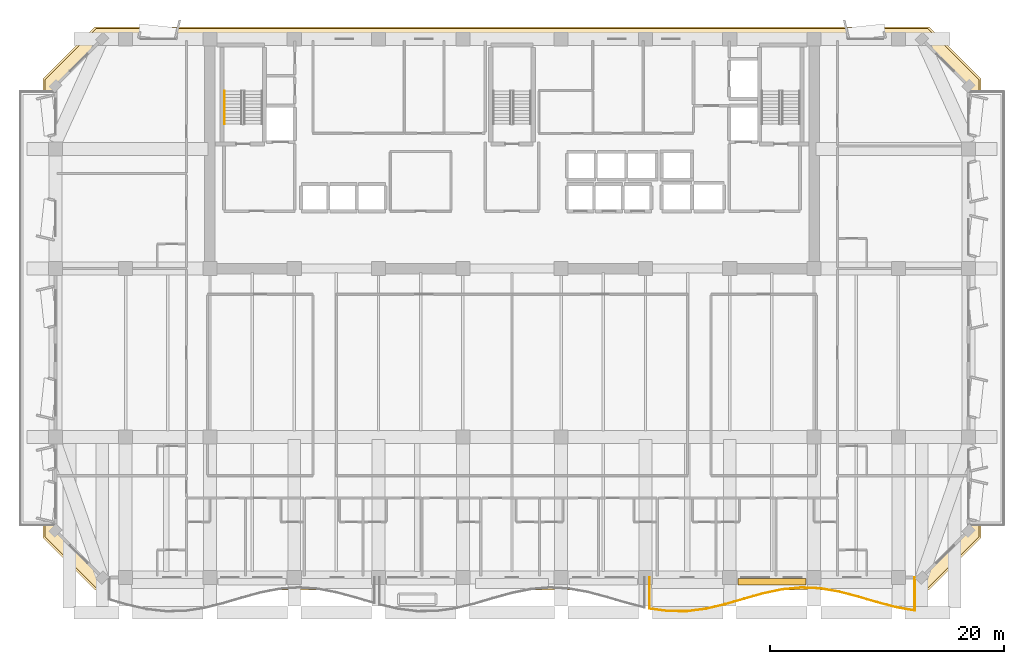
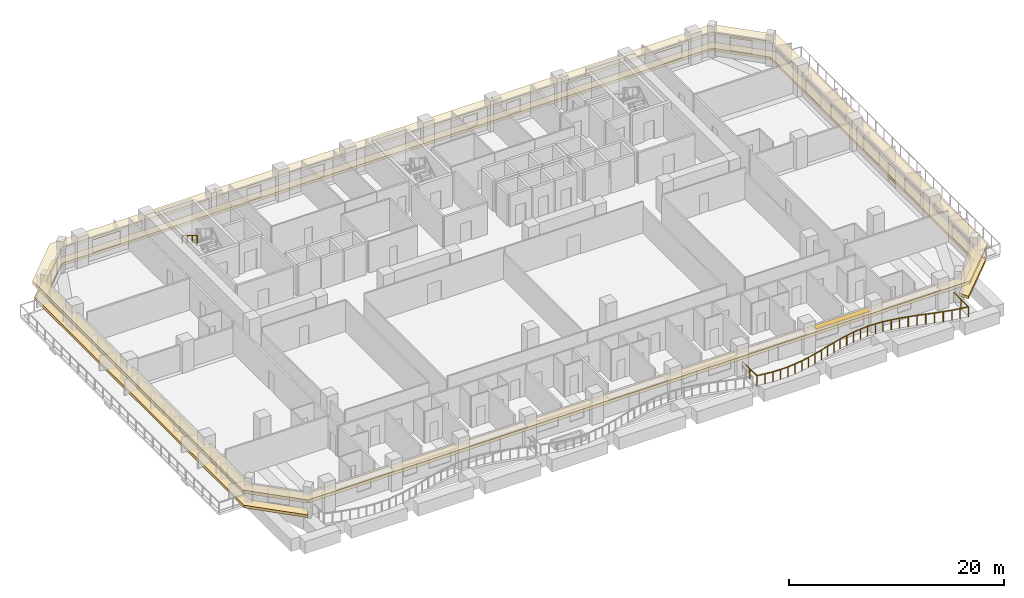
# One storey, part 13 of 16: 2 coverings, 2 railings, 1 shading device.
"""IFC4 building model written with IfcOpenShell, lengths in metres."""

import ifcopenshell
import ifcopenshell.guid

model = None  # the IFC model being written
_history = None  # IfcOwnerHistory: only IFC2X3 demands one
_inside = {}  # id of a spatial element -> (the spatial element, [elements in it])
_under = {}  # id of a project, library or spatial element -> (it, [spatial elements below it])
_declared = {}  # id of a project -> (the project, [libraries it declares])
_typed = {}  # id of a type object -> (the type object, [elements of that type])
_made_of = {}  # id of a material, layer set ... -> (it, [elements and type objects made of it])


def new_model(schema):
    """Start an empty IFC model of exactly this schema.

    Asked for "IFC4X3", IfcOpenShell would pick the latest addendum, in which some entities
    have other attributes; the version numbers below select the first issue.
    IFC2X3 requires an IfcOwnerHistory on every rooted entity: one is made here for all.
    """
    global model, _history
    if schema == "IFC4X3":
        model = ifcopenshell.file(schema_version=(4, 3, 0, 0))
    else:
        model = ifcopenshell.file(schema=schema)
    _inside.clear()
    _under.clear()
    _declared.clear()
    _typed.clear()
    _made_of.clear()
    _history = None
    if model.schema == "IFC2X3":
        org = make("IfcOrganization", Name="unknown")
        user = make(
            "IfcPersonAndOrganization",
            ThePerson=make("IfcPerson", FamilyName="unknown"),
            TheOrganization=org,
        )
        app = make(
            "IfcApplication",
            ApplicationDeveloper=org,
            Version="unknown",
            ApplicationFullName="unknown",
            ApplicationIdentifier="unknown",
        )
        _history = make(
            "IfcOwnerHistory",
            OwningUser=user,
            OwningApplication=app,
            ChangeAction="ADDED",
            CreationDate=0,
        )
    return model


def make(cls, **values):
    """One entity of the class cls with the attributes given. An attribute that is None is left unset."""
    return model.create_entity(
        cls, **{name: value for name, value in values.items() if value is not None}
    )


def rooted(cls, **values):
    """An entity with a GlobalId (a new one), such as an element, a storey or a relation."""
    return make(cls, GlobalId=ifcopenshell.guid.new(), OwnerHistory=_history, **values)


def si_unit(unit_type, name, prefix=None):
    """IfcSIUnit, for example si_unit("LENGTHUNIT", "METRE", prefix="MILLI")."""
    return make("IfcSIUnit", UnitType=unit_type, Prefix=prefix, Name=name)


def assignment(units):
    """IfcUnitAssignment: the units of a project."""
    return None if units is None else make("IfcUnitAssignment", Units=units)


def point(xyz):
    """IfcCartesianPoint."""
    return None if xyz is None else make("IfcCartesianPoint", Coordinates=xyz)


def direction(xyz):
    """IfcDirection."""
    return None if xyz is None else make("IfcDirection", DirectionRatios=xyz)


def frame(location, z_axis=None, x_axis=None):
    """IfcAxis2Placement3D, a coordinate frame: its origin and axes. An axis left out is left unset."""
    return make(
        "IfcAxis2Placement3D",
        Location=point(location),
        Axis=direction(z_axis),
        RefDirection=direction(x_axis),
    )


def frame_2d(location, x_axis=None):
    """IfcAxis2Placement2D, a coordinate frame in the plane: its origin and x axis."""
    return make(
        "IfcAxis2Placement2D", Location=point(location), RefDirection=direction(x_axis)
    )


def origin():
    """The frame at (0, 0, 0) with its axes left unset."""
    return frame((0.0, 0.0, 0.0))


def origin_2d():
    """The frame at (0, 0) in the plane with its x axis left unset."""
    return frame_2d((0.0, 0.0))


def place(relative_to, where):
    """IfcLocalPlacement: puts the frame where relative to a parent placement (None: the world)."""
    return make(
        "IfcLocalPlacement", PlacementRelTo=relative_to, RelativePlacement=where
    )


def context(
    kind, dimensions, precision=None, world=None, true_north=None, identifier=None
):
    """IfcGeometricRepresentationContext, for example the 3D "Model" context."""
    return make(
        "IfcGeometricRepresentationContext",
        ContextIdentifier=identifier,
        ContextType=kind,
        CoordinateSpaceDimension=dimensions,
        Precision=precision,
        WorldCoordinateSystem=world,
        TrueNorth=true_north,
    )


def subcontext(parent, identifier, kind, view, scale=None):
    """IfcGeometricRepresentationSubContext, for example "Body" below "Model"."""
    return make(
        "IfcGeometricRepresentationSubContext",
        ContextIdentifier=identifier,
        ContextType=kind,
        ParentContext=parent,
        TargetScale=scale,
        TargetView=view,
    )


def project(units=None, contexts=None):
    """IfcProject with its units and contexts."""
    return rooted(
        "IfcProject",
        Name="project",
        RepresentationContexts=contexts,
        UnitsInContext=assignment(units),
    )


def spatial(cls, under=None, at=None, **own):
    """A site, building, storey or space (cls), placed at a placement, below another one or the project."""
    s = rooted(cls, ObjectPlacement=at, **own)
    if under is not None:
        _under.setdefault(under.id(), (under, []))[1].append(s)
    return s


def polyline(points):
    """IfcPolyline through the points."""
    return make("IfcPolyline", Points=[point(p) for p in points])


def profile(cls, at=None, kind="AREA", **sizes):
    """A parametric profile (cls). Its sizes go by their IFC names, for example OverallWidth=200.0."""
    return make(cls, ProfileType=kind, Position=at, **sizes)


def rectangle(**sizes):
    """IfcRectangleProfileDef."""
    return profile("IfcRectangleProfileDef", **sizes)


def outline(outer, holes=None, kind="AREA"):
    """IfcArbitraryClosedProfileDef: a profile drawn as a closed curve; with holes, ...WithVoids."""
    if holes is None:
        return make("IfcArbitraryClosedProfileDef", ProfileType=kind, OuterCurve=outer)
    return make(
        "IfcArbitraryProfileDefWithVoids",
        ProfileType=kind,
        OuterCurve=outer,
        InnerCurves=holes,
    )


def extrude(swept, where, along, depth):
    """IfcExtrudedAreaSolid: the profile swept, set in the frame where, extruded along a direction by depth."""
    return make(
        "IfcExtrudedAreaSolid",
        SweptArea=swept,
        Position=where,
        ExtrudedDirection=direction(along),
        Depth=depth,
    )


def shape(context_of_items, identifier, shape_type, items):
    """IfcShapeRepresentation: the items that make up one representation, for example the "Body"."""
    return make(
        "IfcShapeRepresentation",
        ContextOfItems=context_of_items,
        RepresentationIdentifier=identifier,
        RepresentationType=shape_type,
        Items=items,
    )


def material(Name=None, Category=None):
    """IfcMaterial."""
    return make("IfcMaterial", Name=Name, Category=Category)


def layer(
    of_material, thickness, ventilated=None, Name=None, Category=None, Priority=None
):
    """IfcMaterialLayer: one layer of a wall or slab, of a material (None: an air gap)."""
    return make(
        "IfcMaterialLayer",
        Material=of_material,
        LayerThickness=thickness,
        IsVentilated=ventilated,
        Name=Name,
        Category=Category,
        Priority=Priority,
    )


def layer_set(layers, Name=None):
    """IfcMaterialLayerSet."""
    return make("IfcMaterialLayerSet", MaterialLayers=layers, LayerSetName=Name)


def made_of(thing, what):
    """Note that an element or type object is made of a material, layer set ...; save() writes the relation."""
    if what is not None:
        _made_of.setdefault(what.id(), (what, []))[1].append(thing)
    return thing


def type_object(cls, material=None, **own):
    """A type object (cls), such as IfcWallType, which elements share."""
    return made_of(rooted(cls, **own), material)


def element(
    cls,
    number,
    at=None,
    inside=None,
    cuts=None,
    type_object=None,
    material=None,
    context=None,
    identifier="Body",
    shape_type=None,
    held_by="IfcProductDefinitionShape",
    body=None,
    shapes=None,
    **own,
):
    """One element of the class cls, such as IfcWall. Its Tag is "e" and its number.

    at: its placement. inside: the storey or other place that contains it. cuts: it is an
    opening in that element (IfcRelVoidsElement). A single representation is given by context,
    identifier, shape_type and body (its items); several are given by shapes. held_by: the class
    of the entity that holds the representations. save() writes the other relations.
    """
    e = rooted(cls, Tag="e%d" % number, ObjectPlacement=at, **own)
    if body is not None:
        shapes = [shape(context, identifier, shape_type, body)]
    if shapes is not None:
        e.Representation = make(held_by, Representations=shapes)
    if inside is not None:
        _inside.setdefault(inside.id(), (inside, []))[1].append(e)
    if cuts is not None:
        rooted(
            "IfcRelVoidsElement", RelatingBuildingElement=cuts, RelatedOpeningElement=e
        )
    if type_object is not None:
        _typed.setdefault(type_object.id(), (type_object, []))[1].append(e)
    return made_of(e, material)


def aggregate(whole, parts):
    """IfcRelAggregates: a whole, such as a stair, and the parts it consists of."""
    return rooted("IfcRelAggregates", RelatingObject=whole, RelatedObjects=parts)


def save(model, path):
    """Write the relations noted so far, then the file.

    IfcRelAggregates (storeys below a building ...), IfcRelContainedInSpatialStructure (elements
    in a storey), IfcRelDefinesByType, IfcRelAssociatesMaterial and IfcRelDeclares: one each for
    every whole, place, type object, material and project.
    """
    for whole, parts in _under.values():
        aggregate(whole, parts)
    for where, things in _inside.values():
        rooted(
            "IfcRelContainedInSpatialStructure",
            RelatedElements=things,
            RelatingStructure=where,
        )
    for kind, things in _typed.values():
        rooted("IfcRelDefinesByType", RelatedObjects=things, RelatingType=kind)
    for what, things in _made_of.values():
        rooted("IfcRelAssociatesMaterial", RelatedObjects=things, RelatingMaterial=what)
    for by, libraries in _declared.values():
        rooted("IfcRelDeclares", RelatingContext=by, RelatedDefinitions=libraries)
    model.write(path)


model = new_model("IFC4")

# Units and contexts
model_context = context("Model", 3, precision=1e-05, world=origin(), true_north=direction((0.0, 1.0)))
body_context = subcontext(model_context, "Body", "Model", "MODEL_VIEW")
ifc_project = project(units=[si_unit("LENGTHUNIT", "METRE"), si_unit("AREAUNIT", "SQUARE_METRE"), si_unit("VOLUMEUNIT", "CUBIC_METRE"), si_unit("PLANEANGLEUNIT", "RADIAN"), si_unit("MASSUNIT", "GRAM", prefix="KILO")], contexts=[model_context])

# Site, building, storey
site_placement = place(None, origin())
site = spatial("IfcSite", under=ifc_project, at=site_placement, CompositionType="ELEMENT")
building_placement = place(site_placement, origin())
building = spatial("IfcBuilding", under=site, at=building_placement, Name="Kaelvorn Grand Hotel", CompositionType="ELEMENT")
storey_placement = place(building_placement, frame((0.0, 0.0, 135.35009765625)))
storey = spatial("IfcBuildingStorey", under=building, at=storey_placement, Name="L32", CompositionType="ELEMENT", Elevation=135.35009765625)

# Coverings
ifc_material_1 = material(Name="Precast concrete C45/55", Category="concrete")
ifc_layer_1 = layer(ifc_material_1, 0.260009765625)
ifc_layer_set_1 = layer_set([ifc_layer_1], Name="Precast concrete C45/55")
covering_type_1 = type_object("IfcCoveringType", Name="COV-BAND-STREAMLINE-HEAD", PredefinedType="CLADDING", material=ifc_layer_set_1)
covering_1_placement = place(storey_placement, frame((0.0, 0.0, 2.22998046875)))
element("IfcCovering", 1, at=covering_1_placement, inside=storey, type_object=covering_type_1, Name="L32 Streamline Moderne Wraparound Horizontal Eyebrow Band", PredefinedType="CLADDING", context=body_context, shape_type="SweptSolid", body=[
    extrude(outline(polyline([(6.389892578125, 1.949951171875), (77.610107421875, 1.949951171875), (82.050048828125, 6.389892578125), (82.050048828125, 45.610107421875), (77.610107421875, 50.050048828125), (6.389892578125, 50.050048828125), (1.949951171875, 45.610107421875), (1.949951171875, 6.389892578125), (6.389892578125, 1.949951171875)]), holes=[polyline([(7.02001953125, 3.030029296875), (76.97998046875, 3.030029296875), (80.969970703125, 7.02001953125), (80.969970703125, 44.97998046875), (76.97998046875, 48.969970703125), (7.02001953125, 48.969970703125), (3.030029296875, 44.97998046875), (3.030029296875, 7.02001953125), (7.02001953125, 3.030029296875)])]), origin(), (0.0, 0.0, 1.0), 0.35986328125),
])
ifc_layer_2 = layer(ifc_material_1, 0.219970703125)
ifc_layer_set_2 = layer_set([ifc_layer_2], Name="Precast concrete C45/55")
covering_type_2 = type_object("IfcCoveringType", Name="COV-BAND-STREAMLINE-SILL", PredefinedType="CLADDING", material=ifc_layer_set_2)
covering_2_placement = place(storey_placement, frame((0.0, 0.0, 0.449951171875)))
element("IfcCovering", 2, at=covering_2_placement, inside=storey, type_object=covering_type_2, Name="L32 Streamline Moderne Wraparound Horizontal Sill Spandrel Band", PredefinedType="CLADDING", context=body_context, shape_type="SweptSolid", body=[
    extrude(outline(polyline([(77.515380859375, 2.1201171875), (81.8798828125, 6.484619140625), (81.8798828125, 45.515380859375), (77.515380859375, 49.8798828125), (6.484619140625, 49.8798828125), (2.1201171875, 45.515380859375), (2.1201171875, 6.484619140625), (6.484619140625, 2.1201171875), (7.017578125, 3.030029296875), (3.030029296875, 7.017578125), (3.030029296875, 44.982421875), (7.017578125, 48.969970703125), (76.982421875, 48.969970703125), (80.969970703125, 44.982421875), (80.969970703125, 7.017578125), (76.982421875, 3.030029296875), (77.515380859375, 2.1201171875)])), origin(), (0.0, 0.0, 1.0), 0.300048828125),
])

# Railings
ifc_material_2 = material(Name="Stainless Steel", Category="steel")
railing_type_1 = type_object("IfcRailingType", Name="RL-BALC-1150", PredefinedType="BALUSTRADE", material=ifc_material_2)
railing_1_placement = place(storey_placement, frame((53.7333984375, 3.0, 0.0)))
element("IfcRailing", 3, at=railing_1_placement, inside=storey, type_object=railing_type_1, Name="L32 Scalloped Wave Balcony Balustrade GR1-3", PredefinedType="BALUSTRADE", context=body_context, shape_type="SweptSolid", body=[
    extrude(rectangle(XDim=0.048095703125, YDim=0.048095703125, at=origin_2d()), frame((0.0, 0.0, 1.1259765625), z_axis=(0.0, -1.0, 0.0), x_axis=(1.0, 0.0, 0.0)), (0.0, 0.0, 1.0), 2.647216796875),
    extrude(rectangle(XDim=0.048095703125, YDim=0.048095703125, at=origin_2d()), frame((0.0, -2.647216796875, 1.1259765625), z_axis=(0.99075454956, -0.135666585885, 0.0), x_axis=(0.135666585885, 0.99075454956, 0.0)), (0.0, 0.0, 1.0), 1.634033203125),
    extrude(rectangle(XDim=0.048095703125, YDim=0.048095703125, at=origin_2d()), frame((1.618896484375, -2.868896484375, 1.1259765625), z_axis=(0.999994497973, -0.003317231447, 0.0), x_axis=(0.003317231447, 0.999994497973, 0.0)), (0.0, 0.0, 1.0), 1.619140625),
    extrude(rectangle(XDim=0.048095703125, YDim=0.048095703125, at=origin_2d()), frame((3.238037109375, -2.874267578125, 1.1259765625), z_axis=(0.991524375994, 0.129920790522, 0.0), x_axis=(-0.129920790522, 0.991524375994, 0.0)), (0.0, 0.0, 1.0), 1.633056640625),
    extrude(rectangle(XDim=0.048095703125, YDim=0.048095703125, at=origin_2d()), frame((4.857177734375, -2.662109375, 1.1259765625), z_axis=(0.9730309029, 0.230674797068, 0.0), x_axis=(-0.230674797068, 0.9730309029, 0.0)), (0.0, 0.0, 1.0), 1.663818359375),
    extrude(rectangle(XDim=0.048095703125, YDim=0.048095703125, at=origin_2d()), frame((6.47607421875, -2.2783203125, 1.1259765625), z_axis=(0.960129612925, 0.279555229578, 0.0), x_axis=(-0.279555229578, 0.960129612925, 0.0)), (0.0, 0.0, 1.0), 1.686279296875),
    extrude(rectangle(XDim=0.048095703125, YDim=0.048095703125, at=origin_2d()), frame((8.09521484375, -1.806884765625, 1.1259765625), z_axis=(0.962460371108, 0.271422243096, 0.0), x_axis=(-0.271422243096, 0.962460371108, 0.0)), (0.0, 0.0, 1.0), 1.68212890625),
    extrude(rectangle(XDim=0.048095703125, YDim=0.048095703125, at=origin_2d()), frame((9.714111328125, -1.350341796875, 1.1259765625), z_axis=(0.978347405414, 0.206969452623, 0.0), x_axis=(-0.206969452623, 0.978347405414, 0.0)), (0.0, 0.0, 1.0), 1.655029296875),
    extrude(rectangle(XDim=0.048095703125, YDim=0.048095703125, at=origin_2d()), frame((11.333251953125, -1.0078125, 1.1259765625), z_axis=(0.995532502305, 0.094419472851, 0.0), x_axis=(-0.094419472851, 0.995532502305, 0.0)), (0.0, 0.0, 1.0), 1.62646484375),
    extrude(rectangle(XDim=0.048095703125, YDim=0.048095703125, at=origin_2d()), frame((12.952392578125, -0.854248046875, 1.1259765625), z_axis=(0.999103314506, -0.042338716842, 0.0), x_axis=(0.042338716842, 0.999103314506, 0.0)), (0.0, 0.0, 1.0), 1.620361328125),
    extrude(rectangle(XDim=0.048095703125, YDim=0.048095703125, at=origin_2d()), frame((14.5712890625, -0.9228515625, 1.1259765625), z_axis=(0.985768283412, -0.168109760033, 0.0), x_axis=(0.168109760033, 0.985768283412, 0.0)), (0.0, 0.0, 1.0), 1.642578125),
    extrude(rectangle(XDim=0.048095703125, YDim=0.048095703125, at=origin_2d()), frame((16.1904296875, -1.198974609375, 1.1259765625), z_axis=(0.967513392328, -0.252819769135, 0.0), x_axis=(0.252819769135, 0.967513392328, 0.0)), (0.0, 0.0, 1.0), 1.673583984375),
    extrude(rectangle(XDim=0.048095703125, YDim=0.048095703125, at=origin_2d()), frame((17.8095703125, -1.6220703125, 1.1259765625), z_axis=(0.959023960124, -0.283324979322, 0.0), x_axis=(0.283324979322, 0.959023960124, 0.0)), (0.0, 0.0, 1.0), 1.68798828125),
    extrude(rectangle(XDim=0.048095703125, YDim=0.048095703125, at=origin_2d()), frame((19.428466796875, -2.100341796875, 1.1259765625), z_axis=(0.966616093109, -0.256229054838, 0.0), x_axis=(0.256229054838, 0.966616093109, 0.0)), (0.0, 0.0, 1.0), 1.675048828125),
    extrude(rectangle(XDim=0.048095703125, YDim=0.048095703125, at=origin_2d()), frame((21.047607421875, -2.529541015625, 1.1259765625), z_axis=(0.98468623376, -0.174335943061, 0.0), x_axis=(0.174335943061, 0.98468623376, 0.0)), (0.0, 0.0, 1.0), 1.64404296875),
    extrude(rectangle(XDim=0.048095703125, YDim=0.048095703125, at=origin_2d()), frame((22.66650390625, -2.816162109375, 1.1259765625), z_axis=(0.0, 1.0, 0.0), x_axis=(-1.0, 0.0, 0.0)), (0.0, 0.0, 1.0), 2.816162109375),
    extrude(rectangle(XDim=0.0419921875, YDim=0.0419921875, at=origin_2d()), origin(), (0.0, 0.0, 1.0), 1.101806640625),
    extrude(rectangle(XDim=0.0419921875, YDim=0.0419921875, at=origin_2d()), frame((0.0, -1.32373046875, 0.0)), (0.0, 0.0, 1.0), 1.101806640625),
    extrude(rectangle(XDim=0.0419921875, YDim=0.0419921875, at=origin_2d()), frame((0.0, -2.647216796875, 0.0)), (0.0, 0.0, 1.0), 1.101806640625),
    extrude(rectangle(XDim=0.0419921875, YDim=0.0419921875, at=origin_2d()), frame((0.8095703125, -2.758056640625, 0.0)), (0.0, 0.0, 1.0), 1.101806640625),
    extrude(rectangle(XDim=0.0419921875, YDim=0.0419921875, at=origin_2d()), frame((1.618896484375, -2.868896484375, 0.0)), (0.0, 0.0, 1.0), 1.101806640625),
    extrude(rectangle(XDim=0.0419921875, YDim=0.0419921875, at=origin_2d()), frame((2.428466796875, -2.87158203125, 0.0)), (0.0, 0.0, 1.0), 1.101806640625),
    extrude(rectangle(XDim=0.0419921875, YDim=0.0419921875, at=origin_2d()), frame((3.238037109375, -2.874267578125, 0.0)), (0.0, 0.0, 1.0), 1.101806640625),
    extrude(rectangle(XDim=0.0419921875, YDim=0.0419921875, at=origin_2d()), frame((4.047607421875, -2.76806640625, 0.0)), (0.0, 0.0, 1.0), 1.101806640625),
    extrude(rectangle(XDim=0.0419921875, YDim=0.0419921875, at=origin_2d()), frame((4.857177734375, -2.662109375, 0.0)), (0.0, 0.0, 1.0), 1.101806640625),
    extrude(rectangle(XDim=0.0419921875, YDim=0.0419921875, at=origin_2d()), frame((5.66650390625, -2.47021484375, 0.0)), (0.0, 0.0, 1.0), 1.101806640625),
    extrude(rectangle(XDim=0.0419921875, YDim=0.0419921875, at=origin_2d()), frame((6.47607421875, -2.2783203125, 0.0)), (0.0, 0.0, 1.0), 1.101806640625),
    extrude(rectangle(XDim=0.0419921875, YDim=0.0419921875, at=origin_2d()), frame((7.28564453125, -2.04248046875, 0.0)), (0.0, 0.0, 1.0), 1.101806640625),
    extrude(rectangle(XDim=0.0419921875, YDim=0.0419921875, at=origin_2d()), frame((8.09521484375, -1.806884765625, 0.0)), (0.0, 0.0, 1.0), 1.101806640625),
    extrude(rectangle(XDim=0.0419921875, YDim=0.0419921875, at=origin_2d()), frame((8.90478515625, -1.57861328125, 0.0)), (0.0, 0.0, 1.0), 1.101806640625),
    extrude(rectangle(XDim=0.0419921875, YDim=0.0419921875, at=origin_2d()), frame((9.714111328125, -1.350341796875, 0.0)), (0.0, 0.0, 1.0), 1.101806640625),
    extrude(rectangle(XDim=0.0419921875, YDim=0.0419921875, at=origin_2d()), frame((10.523681640625, -1.17919921875, 0.0)), (0.0, 0.0, 1.0), 1.101806640625),
    extrude(rectangle(XDim=0.0419921875, YDim=0.0419921875, at=origin_2d()), frame((11.333251953125, -1.0078125, 0.0)), (0.0, 0.0, 1.0), 1.101806640625),
    extrude(rectangle(XDim=0.0419921875, YDim=0.0419921875, at=origin_2d()), frame((12.142822265625, -0.93115234375, 0.0)), (0.0, 0.0, 1.0), 1.101806640625),
    extrude(rectangle(XDim=0.0419921875, YDim=0.0419921875, at=origin_2d()), frame((12.952392578125, -0.854248046875, 0.0)), (0.0, 0.0, 1.0), 1.101806640625),
    extrude(rectangle(XDim=0.0419921875, YDim=0.0419921875, at=origin_2d()), frame((13.76171875, -0.888671875, 0.0)), (0.0, 0.0, 1.0), 1.101806640625),
    extrude(rectangle(XDim=0.0419921875, YDim=0.0419921875, at=origin_2d()), frame((14.5712890625, -0.9228515625, 0.0)), (0.0, 0.0, 1.0), 1.101806640625),
    extrude(rectangle(XDim=0.0419921875, YDim=0.0419921875, at=origin_2d()), frame((15.380859375, -1.06103515625, 0.0)), (0.0, 0.0, 1.0), 1.101806640625),
    extrude(rectangle(XDim=0.0419921875, YDim=0.0419921875, at=origin_2d()), frame((16.1904296875, -1.198974609375, 0.0)), (0.0, 0.0, 1.0), 1.101806640625),
    extrude(rectangle(XDim=0.0419921875, YDim=0.0419921875, at=origin_2d()), frame((17.0, -1.41064453125, 0.0)), (0.0, 0.0, 1.0), 1.101806640625),
    extrude(rectangle(XDim=0.0419921875, YDim=0.0419921875, at=origin_2d()), frame((17.8095703125, -1.6220703125, 0.0)), (0.0, 0.0, 1.0), 1.101806640625),
    extrude(rectangle(XDim=0.0419921875, YDim=0.0419921875, at=origin_2d()), frame((18.619140625, -1.861328125, 0.0)), (0.0, 0.0, 1.0), 1.101806640625),
    extrude(rectangle(XDim=0.0419921875, YDim=0.0419921875, at=origin_2d()), frame((19.428466796875, -2.100341796875, 0.0)), (0.0, 0.0, 1.0), 1.101806640625),
    extrude(rectangle(XDim=0.0419921875, YDim=0.0419921875, at=origin_2d()), frame((20.238037109375, -2.31494140625, 0.0)), (0.0, 0.0, 1.0), 1.101806640625),
    extrude(rectangle(XDim=0.0419921875, YDim=0.0419921875, at=origin_2d()), frame((21.047607421875, -2.529541015625, 0.0)), (0.0, 0.0, 1.0), 1.101806640625),
    extrude(rectangle(XDim=0.0419921875, YDim=0.0419921875, at=origin_2d()), frame((21.85693359375, -2.6728515625, 0.0)), (0.0, 0.0, 1.0), 1.101806640625),
    extrude(rectangle(XDim=0.0419921875, YDim=0.0419921875, at=origin_2d()), frame((22.66650390625, -2.816162109375, 0.0)), (0.0, 0.0, 1.0), 1.101806640625),
    extrude(rectangle(XDim=0.0419921875, YDim=0.0419921875, at=origin_2d()), frame((22.66650390625, -1.408203125, 0.0)), (0.0, 0.0, 1.0), 1.101806640625),
    extrude(rectangle(XDim=0.0419921875, YDim=0.0419921875, at=origin_2d()), frame((22.66650390625, 0.0, 0.0)), (0.0, 0.0, 1.0), 1.101806640625),
])
railing_type_2 = type_object("IfcRailingType", Name="RL-HANDRAIL-900", PredefinedType="HANDRAIL", material=ifc_material_2)
railing_2_placement = place(storey_placement, frame((17.449951171875, 44.56005859375, 2.072509765625)))
element("IfcRailing", 4, at=railing_2_placement, inside=storey, type_object=railing_type_2, Name="L32 ST1 stair handrail 2", PredefinedType="HANDRAIL", context=body_context, shape_type="SweptSolid", body=[
    extrude(rectangle(XDim=0.048095703125, YDim=0.048095703125, at=origin_2d()), frame((0.0, 0.0, 0.8759765625), z_axis=(0.0, -0.851089632645, 0.525020415988), x_axis=(1.0, 0.0, 0.0)), (0.0, 0.0, 1.0), 3.2900390625),
    extrude(rectangle(XDim=0.0419921875, YDim=0.0419921875, at=origin_2d()), origin(), (0.0, 0.0, 1.0), 0.851806640625),
    extrude(rectangle(XDim=0.0419921875, YDim=0.0419921875, at=origin_2d()), frame((0.0, -0.933349609375, 0.57568359375)), (0.0, 0.0, 1.0), 0.851806640625),
    extrude(rectangle(XDim=0.0419921875, YDim=0.0419921875, at=origin_2d()), frame((0.0, -1.86669921875, 1.151611328125)), (0.0, 0.0, 1.0), 0.851806640625),
    extrude(rectangle(XDim=0.0419921875, YDim=0.0419921875, at=origin_2d()), frame((0.0, -2.800048828125, 1.727294921875)), (0.0, 0.0, 1.0), 0.851806640625),
])

# Shading device
ifc_layer_3 = layer(ifc_material_1, 0.1201171875)
ifc_layer_set_3 = layer_set([ifc_layer_3], Name="Precast concrete C45/55")
shading_device_type = type_object("IfcShadingDeviceType", Name="SHD-SUNSHADE-550", PredefinedType="USERDEFINED", material=ifc_layer_set_3)
shading_device_placement = place(storey_placement, frame((64.199951171875, 2.64501953125, 2.4697265625), z_axis=(0.0, 0.0, 1.0), x_axis=(1.0, 0.0, 0.0)))
element("IfcShadingDevice", 5, at=shading_device_placement, inside=storey, type_object=shading_device_type, Name="L32 Horizontal Concrete Sunshade Band SS-09", ObjectType="SUNSHADE", PredefinedType="USERDEFINED", context=body_context, shape_type="SweptSolid", body=[
    extrude(rectangle(XDim=5.800048828125, YDim=0.550048828125, at=origin_2d()), origin(), (0.0, 0.0, 1.0), 0.1201171875),
])

save(model, "model.ifc")
